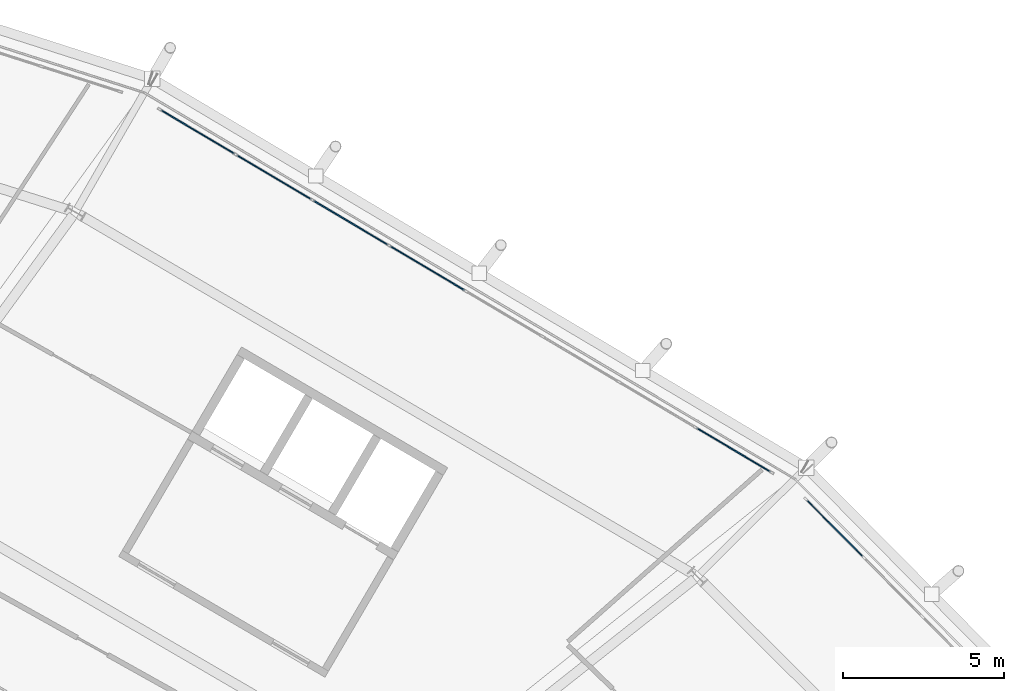
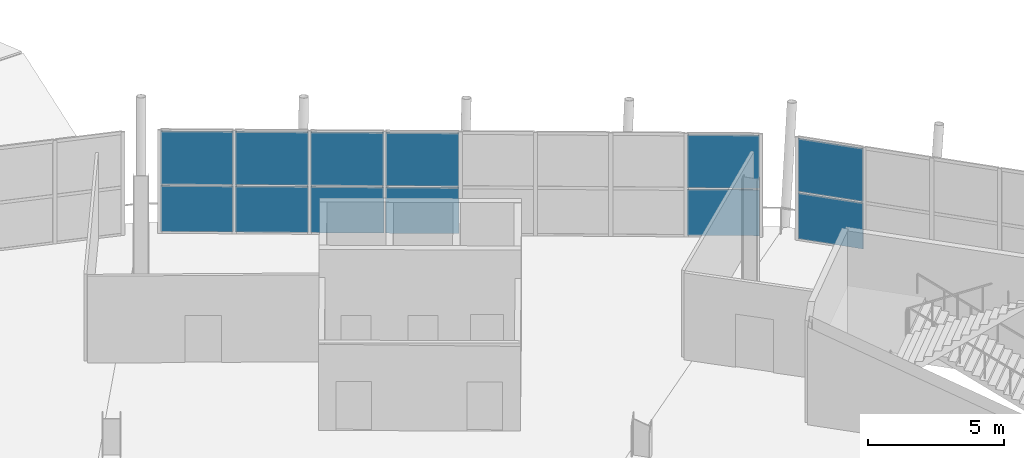
# One storey, part 72 of 126: 12 plates, 2 elements without a shape of their own.
"""IFC4 building model written with IfcOpenShell, lengths in metres."""

import ifcopenshell
import ifcopenshell.guid

model = None  # the IFC model being written
_history = None  # IfcOwnerHistory: only IFC2X3 demands one
_inside = {}  # id of a spatial element -> (the spatial element, [elements in it])
_under = {}  # id of a project, library or spatial element -> (it, [spatial elements below it])
_declared = {}  # id of a project -> (the project, [libraries it declares])
_typed = {}  # id of a type object -> (the type object, [elements of that type])
_made_of = {}  # id of a material, layer set ... -> (it, [elements and type objects made of it])


def new_model(schema):
    """Start an empty IFC model of exactly this schema.

    Asked for "IFC4X3", IfcOpenShell would pick the latest addendum, in which some entities
    have other attributes; the version numbers below select the first issue.
    IFC2X3 requires an IfcOwnerHistory on every rooted entity: one is made here for all.
    """
    global model, _history
    if schema == "IFC4X3":
        model = ifcopenshell.file(schema_version=(4, 3, 0, 0))
    else:
        model = ifcopenshell.file(schema=schema)
    _inside.clear()
    _under.clear()
    _declared.clear()
    _typed.clear()
    _made_of.clear()
    _history = None
    if model.schema == "IFC2X3":
        org = make("IfcOrganization", Name="unknown")
        user = make(
            "IfcPersonAndOrganization",
            ThePerson=make("IfcPerson", FamilyName="unknown"),
            TheOrganization=org,
        )
        app = make(
            "IfcApplication",
            ApplicationDeveloper=org,
            Version="unknown",
            ApplicationFullName="unknown",
            ApplicationIdentifier="unknown",
        )
        _history = make(
            "IfcOwnerHistory",
            OwningUser=user,
            OwningApplication=app,
            ChangeAction="ADDED",
            CreationDate=0,
        )
    return model


def make(cls, **values):
    """One entity of the class cls with the attributes given. An attribute that is None is left unset."""
    return model.create_entity(
        cls, **{name: value for name, value in values.items() if value is not None}
    )


def rooted(cls, **values):
    """An entity with a GlobalId (a new one), such as an element, a storey or a relation."""
    return make(cls, GlobalId=ifcopenshell.guid.new(), OwnerHistory=_history, **values)


def si_unit(unit_type, name, prefix=None):
    """IfcSIUnit, for example si_unit("LENGTHUNIT", "METRE", prefix="MILLI")."""
    return make("IfcSIUnit", UnitType=unit_type, Prefix=prefix, Name=name)


def assignment(units):
    """IfcUnitAssignment: the units of a project."""
    return None if units is None else make("IfcUnitAssignment", Units=units)


def point(xyz):
    """IfcCartesianPoint."""
    return None if xyz is None else make("IfcCartesianPoint", Coordinates=xyz)


def direction(xyz):
    """IfcDirection."""
    return None if xyz is None else make("IfcDirection", DirectionRatios=xyz)


def frame(location, z_axis=None, x_axis=None):
    """IfcAxis2Placement3D, a coordinate frame: its origin and axes. An axis left out is left unset."""
    return make(
        "IfcAxis2Placement3D",
        Location=point(location),
        Axis=direction(z_axis),
        RefDirection=direction(x_axis),
    )


def frame_2d(location, x_axis=None):
    """IfcAxis2Placement2D, a coordinate frame in the plane: its origin and x axis."""
    return make(
        "IfcAxis2Placement2D", Location=point(location), RefDirection=direction(x_axis)
    )


def origin():
    """The frame at (0, 0, 0) with its axes left unset."""
    return frame((0.0, 0.0, 0.0))


def origin_2d():
    """The frame at (0, 0) in the plane with its x axis left unset."""
    return frame_2d((0.0, 0.0))


def place(relative_to, where):
    """IfcLocalPlacement: puts the frame where relative to a parent placement (None: the world)."""
    return make(
        "IfcLocalPlacement", PlacementRelTo=relative_to, RelativePlacement=where
    )


def context(
    kind, dimensions, precision=None, world=None, true_north=None, identifier=None
):
    """IfcGeometricRepresentationContext, for example the 3D "Model" context."""
    return make(
        "IfcGeometricRepresentationContext",
        ContextIdentifier=identifier,
        ContextType=kind,
        CoordinateSpaceDimension=dimensions,
        Precision=precision,
        WorldCoordinateSystem=world,
        TrueNorth=true_north,
    )


def subcontext(parent, identifier, kind, view, scale=None):
    """IfcGeometricRepresentationSubContext, for example "Body" below "Model"."""
    return make(
        "IfcGeometricRepresentationSubContext",
        ContextIdentifier=identifier,
        ContextType=kind,
        ParentContext=parent,
        TargetScale=scale,
        TargetView=view,
    )


def project(units=None, contexts=None):
    """IfcProject with its units and contexts."""
    return rooted(
        "IfcProject",
        Name="project",
        RepresentationContexts=contexts,
        UnitsInContext=assignment(units),
    )


def spatial(cls, under=None, at=None, **own):
    """A site, building, storey or space (cls), placed at a placement, below another one or the project."""
    s = rooted(cls, ObjectPlacement=at, **own)
    if under is not None:
        _under.setdefault(under.id(), (under, []))[1].append(s)
    return s


def profile(cls, at=None, kind="AREA", **sizes):
    """A parametric profile (cls). Its sizes go by their IFC names, for example OverallWidth=200.0."""
    return make(cls, ProfileType=kind, Position=at, **sizes)


def rectangle(**sizes):
    """IfcRectangleProfileDef."""
    return profile("IfcRectangleProfileDef", **sizes)


def extrude(swept, where, along, depth):
    """IfcExtrudedAreaSolid: the profile swept, set in the frame where, extruded along a direction by depth."""
    return make(
        "IfcExtrudedAreaSolid",
        SweptArea=swept,
        Position=where,
        ExtrudedDirection=direction(along),
        Depth=depth,
    )


def shape(context_of_items, identifier, shape_type, items):
    """IfcShapeRepresentation: the items that make up one representation, for example the "Body"."""
    return make(
        "IfcShapeRepresentation",
        ContextOfItems=context_of_items,
        RepresentationIdentifier=identifier,
        RepresentationType=shape_type,
        Items=items,
    )


def material(Name=None, Category=None):
    """IfcMaterial."""
    return make("IfcMaterial", Name=Name, Category=Category)


def layer(
    of_material, thickness, ventilated=None, Name=None, Category=None, Priority=None
):
    """IfcMaterialLayer: one layer of a wall or slab, of a material (None: an air gap)."""
    return make(
        "IfcMaterialLayer",
        Material=of_material,
        LayerThickness=thickness,
        IsVentilated=ventilated,
        Name=Name,
        Category=Category,
        Priority=Priority,
    )


def layer_set(layers, Name=None):
    """IfcMaterialLayerSet."""
    return make("IfcMaterialLayerSet", MaterialLayers=layers, LayerSetName=Name)


def made_of(thing, what):
    """Note that an element or type object is made of a material, layer set ...; save() writes the relation."""
    if what is not None:
        _made_of.setdefault(what.id(), (what, []))[1].append(thing)
    return thing


def type_object(cls, material=None, **own):
    """A type object (cls), such as IfcWallType, which elements share."""
    return made_of(rooted(cls, **own), material)


def element(
    cls,
    number,
    at=None,
    inside=None,
    cuts=None,
    type_object=None,
    material=None,
    context=None,
    identifier="Body",
    shape_type=None,
    held_by="IfcProductDefinitionShape",
    body=None,
    shapes=None,
    **own,
):
    """One element of the class cls, such as IfcWall. Its Tag is "e" and its number.

    at: its placement. inside: the storey or other place that contains it. cuts: it is an
    opening in that element (IfcRelVoidsElement). A single representation is given by context,
    identifier, shape_type and body (its items); several are given by shapes. held_by: the class
    of the entity that holds the representations. save() writes the other relations.
    """
    e = rooted(cls, Tag="e%d" % number, ObjectPlacement=at, **own)
    if body is not None:
        shapes = [shape(context, identifier, shape_type, body)]
    if shapes is not None:
        e.Representation = make(held_by, Representations=shapes)
    if inside is not None:
        _inside.setdefault(inside.id(), (inside, []))[1].append(e)
    if cuts is not None:
        rooted(
            "IfcRelVoidsElement", RelatingBuildingElement=cuts, RelatedOpeningElement=e
        )
    if type_object is not None:
        _typed.setdefault(type_object.id(), (type_object, []))[1].append(e)
    return made_of(e, material)


def aggregate(whole, parts):
    """IfcRelAggregates: a whole, such as a stair, and the parts it consists of."""
    return rooted("IfcRelAggregates", RelatingObject=whole, RelatedObjects=parts)


def save(model, path):
    """Write the relations noted so far, then the file.

    IfcRelAggregates (storeys below a building ...), IfcRelContainedInSpatialStructure (elements
    in a storey), IfcRelDefinesByType, IfcRelAssociatesMaterial and IfcRelDeclares: one each for
    every whole, place, type object, material and project.
    """
    for whole, parts in _under.values():
        aggregate(whole, parts)
    for where, things in _inside.values():
        rooted(
            "IfcRelContainedInSpatialStructure",
            RelatedElements=things,
            RelatingStructure=where,
        )
    for kind, things in _typed.values():
        rooted("IfcRelDefinesByType", RelatedObjects=things, RelatingType=kind)
    for what, things in _made_of.values():
        rooted("IfcRelAssociatesMaterial", RelatedObjects=things, RelatingMaterial=what)
    for by, libraries in _declared.values():
        rooted("IfcRelDeclares", RelatingContext=by, RelatedDefinitions=libraries)
    model.write(path)


model = new_model("IFC4")

# Units and contexts
model_context = context("Model", 3, precision=1e-05, world=origin(), true_north=direction((0.0, 1.0)))
body_context = subcontext(model_context, "Body", "Model", "MODEL_VIEW")
ifc_project = project(units=[si_unit("LENGTHUNIT", "METRE"), si_unit("AREAUNIT", "SQUARE_METRE"), si_unit("VOLUMEUNIT", "CUBIC_METRE"), si_unit("PLANEANGLEUNIT", "RADIAN"), si_unit("MASSUNIT", "GRAM", prefix="KILO")], contexts=[model_context])

# Site, building, storey
site_placement = place(None, origin())
site = spatial("IfcSite", under=ifc_project, at=site_placement, CompositionType="ELEMENT")
building_placement = place(site_placement, origin())
building = spatial("IfcBuilding", under=site, at=building_placement, Name="Zlatoyarsky Gate Stadium", CompositionType="ELEMENT")
storey_placement = place(building_placement, frame((0.0, 0.0, 20.800048828125)))
storey = spatial("IfcBuildingStorey", under=building, at=storey_placement, Name="L04", CompositionType="ELEMENT", Elevation=20.800048828125)

# Curtain wall, plates
ifc_material_1 = material(Name="Thermally broken anodised aluminium curtain wall", Category="aluminium")
curtain_wall_type = type_object("IfcCurtainWallType", Name="UNITISED MEDIA RING GLAZING L04", PredefinedType="USERDEFINED", material=ifc_material_1)
curtain_wall_1_placement = place(storey_placement, origin())
curtain_wall_1 = element("IfcCurtainWall", 1, at=curtain_wall_1_placement, inside=storey, type_object=curtain_wall_type, Name="Curtain wall CW-L04-02", ObjectType="UNITISED GLAZING", PredefinedType="USERDEFINED")
ifc_material_2 = material(Name="Triple-glazed argon low-e architectural glass", Category="glass")
ifc_layer = layer(ifc_material_2, 0.0380859375)
ifc_layer_set = layer_set([ifc_layer], Name="Triple-glazed argon low-e architectural glass")
plate_type = type_object("IfcPlateType", Name="TRIPLE GLAZED LOW E CURTAIN PANEL 38", PredefinedType="CURTAIN_PANEL", material=ifc_layer_set)
plate_1_placement = place(storey_placement, frame((181.0146484375, 131.6953125, 0.06494140625), z_axis=(0.0, 0.0, 1.0), x_axis=(-0.704332181269, 0.709870536386, 0.0)))
plate_1 = element("IfcPlate", 2, at=plate_1_placement, type_object=plate_type, Name="CW-UG4 panel 8.1", PredefinedType="CURTAIN_PANEL", context=body_context, shape_type="SweptSolid", body=[
    extrude(rectangle(XDim=2.477783203125, YDim=0.0380859375, at=origin_2d()), origin(), (0.0, 0.0, 1.0), 2.052490234375),
])
plate_2_placement = place(storey_placement, frame((181.0146484375, 131.6953125, 2.182373046875), z_axis=(0.0, 0.0, 1.0), x_axis=(-0.704332181269, 0.709870536386, 0.0)))
plate_2 = element("IfcPlate", 3, at=plate_2_placement, type_object=plate_type, Name="CW-UG4 panel 8.2", PredefinedType="CURTAIN_PANEL", context=body_context, shape_type="SweptSolid", body=[
    extrude(rectangle(XDim=2.477783203125, YDim=0.0380859375, at=origin_2d()), origin(), (0.0, 0.0, 1.0), 2.37255859375),
])
aggregate(curtain_wall_1, [plate_1, plate_2])

curtain_wall_2_placement = place(storey_placement, origin())
curtain_wall_2 = element("IfcCurtainWall", 4, at=curtain_wall_2_placement, inside=storey, type_object=curtain_wall_type, Name="Curtain wall CW-L04-03", ObjectType="UNITISED GLAZING", PredefinedType="USERDEFINED")
plate_3_placement = place(storey_placement, frame((177.87890625, 134.12646484375, 0.06494140625), z_axis=(0.0, 0.0, 1.0), x_axis=(-0.859978374713, 0.510330476285, 0.0)))
plate_3 = element("IfcPlate", 5, at=plate_3_placement, type_object=plate_type, Name="CW-UG4 panel 1.1", PredefinedType="CURTAIN_PANEL", context=body_context, shape_type="SweptSolid", body=[
    extrude(rectangle(XDim=2.662109375, YDim=0.0380859375, at=origin_2d()), origin(), (0.0, 0.0, 1.0), 2.052490234375),
])
plate_4_placement = place(storey_placement, frame((177.87890625, 134.12646484375, 2.182373046875), z_axis=(0.0, 0.0, 1.0), x_axis=(-0.859978374713, 0.510330476285, 0.0)))
plate_4 = element("IfcPlate", 6, at=plate_4_placement, type_object=plate_type, Name="CW-UG4 panel 1.2", PredefinedType="CURTAIN_PANEL", context=body_context, shape_type="SweptSolid", body=[
    extrude(rectangle(XDim=2.662109375, YDim=0.0380859375, at=origin_2d()), origin(), (0.0, 0.0, 1.0), 2.37255859375),
])
plate_5_placement = place(storey_placement, frame((168.400146484375, 139.75146484375, 0.06494140625), z_axis=(0.0, 0.0, 1.0), x_axis=(-0.859978374713, 0.510330476285, 0.0)))
plate_5 = element("IfcPlate", 7, at=plate_5_placement, type_object=plate_type, Name="CW-UG4 panel 5.1", PredefinedType="CURTAIN_PANEL", context=body_context, shape_type="SweptSolid", body=[
    extrude(rectangle(XDim=2.694580078125, YDim=0.0380859375, at=origin_2d()), origin(), (0.0, 0.0, 1.0), 2.052490234375),
])
plate_6_placement = place(storey_placement, frame((168.400146484375, 139.75146484375, 2.182373046875), z_axis=(0.0, 0.0, 1.0), x_axis=(-0.859978374713, 0.510330476285, 0.0)))
plate_6 = element("IfcPlate", 8, at=plate_6_placement, type_object=plate_type, Name="CW-UG4 panel 5.2", PredefinedType="CURTAIN_PANEL", context=body_context, shape_type="SweptSolid", body=[
    extrude(rectangle(XDim=2.694580078125, YDim=0.0380859375, at=origin_2d()), origin(), (0.0, 0.0, 1.0), 2.37255859375),
])
plate_7_placement = place(storey_placement, frame((166.02685546875, 141.15966796875, 0.06494140625), z_axis=(0.0, 0.0, 1.0), x_axis=(-0.859978374713, 0.510330476285, 0.0)))
plate_7 = element("IfcPlate", 9, at=plate_7_placement, type_object=plate_type, Name="CW-UG4 panel 6.1", PredefinedType="CURTAIN_PANEL", context=body_context, shape_type="SweptSolid", body=[
    extrude(rectangle(XDim=2.694580078125, YDim=0.0380859375, at=origin_2d()), origin(), (0.0, 0.0, 1.0), 2.052490234375),
])
plate_8_placement = place(storey_placement, frame((166.02685546875, 141.15966796875, 2.182373046875), z_axis=(0.0, 0.0, 1.0), x_axis=(-0.859978374713, 0.510330476285, 0.0)))
plate_8 = element("IfcPlate", 10, at=plate_8_placement, type_object=plate_type, Name="CW-UG4 panel 6.2", PredefinedType="CURTAIN_PANEL", context=body_context, shape_type="SweptSolid", body=[
    extrude(rectangle(XDim=2.694580078125, YDim=0.0380859375, at=origin_2d()), origin(), (0.0, 0.0, 1.0), 2.37255859375),
])
plate_9_placement = place(storey_placement, frame((163.653564453125, 142.568115234375, 0.06494140625), z_axis=(0.0, 0.0, 1.0), x_axis=(-0.859978374713, 0.510330476285, 0.0)))
plate_9 = element("IfcPlate", 11, at=plate_9_placement, type_object=plate_type, Name="CW-UG4 panel 7.1", PredefinedType="CURTAIN_PANEL", context=body_context, shape_type="SweptSolid", body=[
    extrude(rectangle(XDim=2.694580078125, YDim=0.0380859375, at=origin_2d()), origin(), (0.0, 0.0, 1.0), 2.052490234375),
])
plate_10_placement = place(storey_placement, frame((163.653564453125, 142.568115234375, 2.182373046875), z_axis=(0.0, 0.0, 1.0), x_axis=(-0.859978374713, 0.510330476285, 0.0)))
plate_10 = element("IfcPlate", 12, at=plate_10_placement, type_object=plate_type, Name="CW-UG4 panel 7.2", PredefinedType="CURTAIN_PANEL", context=body_context, shape_type="SweptSolid", body=[
    extrude(rectangle(XDim=2.694580078125, YDim=0.0380859375, at=origin_2d()), origin(), (0.0, 0.0, 1.0), 2.37255859375),
])
plate_11_placement = place(storey_placement, frame((161.29443359375, 143.968017578125, 0.06494140625), z_axis=(0.0, 0.0, 1.0), x_axis=(-0.859978374713, 0.510330476285, 0.0)))
plate_11 = element("IfcPlate", 13, at=plate_11_placement, type_object=plate_type, Name="CW-UG4 panel 8.1", PredefinedType="CURTAIN_PANEL", context=body_context, shape_type="SweptSolid", body=[
    extrude(rectangle(XDim=2.662109375, YDim=0.0380859375, at=origin_2d()), origin(), (0.0, 0.0, 1.0), 2.052490234375),
])
plate_12_placement = place(storey_placement, frame((161.29443359375, 143.968017578125, 2.182373046875), z_axis=(0.0, 0.0, 1.0), x_axis=(-0.859978374713, 0.510330476285, 0.0)))
plate_12 = element("IfcPlate", 14, at=plate_12_placement, type_object=plate_type, Name="CW-UG4 panel 8.2", PredefinedType="CURTAIN_PANEL", context=body_context, shape_type="SweptSolid", body=[
    extrude(rectangle(XDim=2.662109375, YDim=0.0380859375, at=origin_2d()), origin(), (0.0, 0.0, 1.0), 2.37255859375),
])
aggregate(curtain_wall_2, [plate_3, plate_4, plate_5, plate_6, plate_7, plate_8, plate_9, plate_10, plate_11, plate_12])

save(model, "model.ifc")
